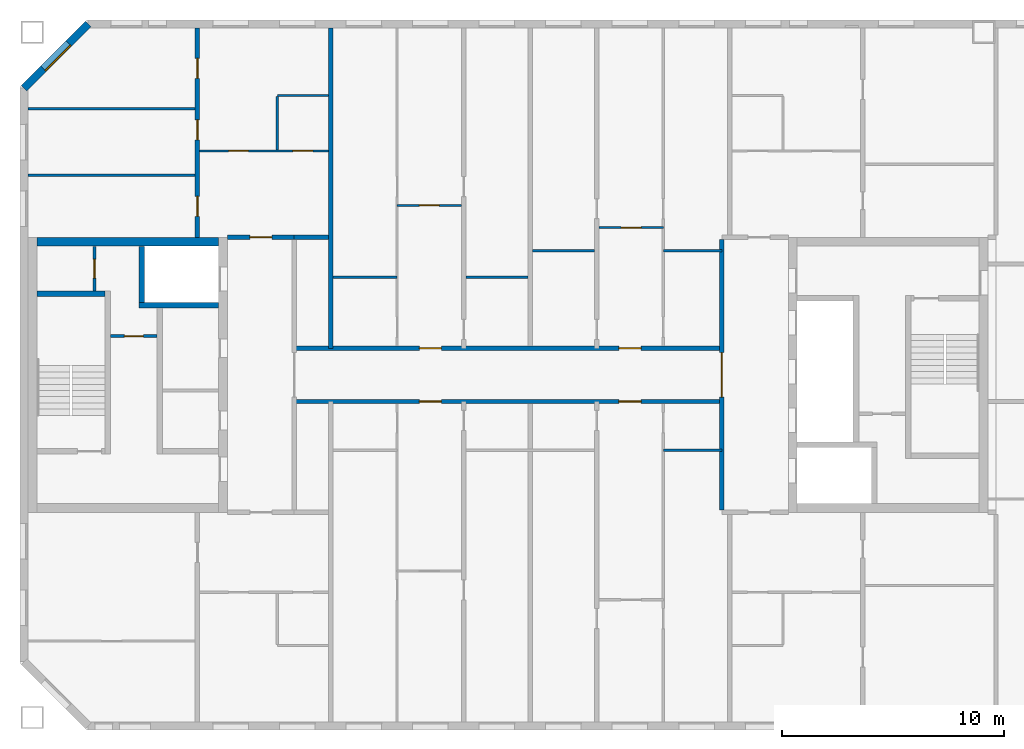
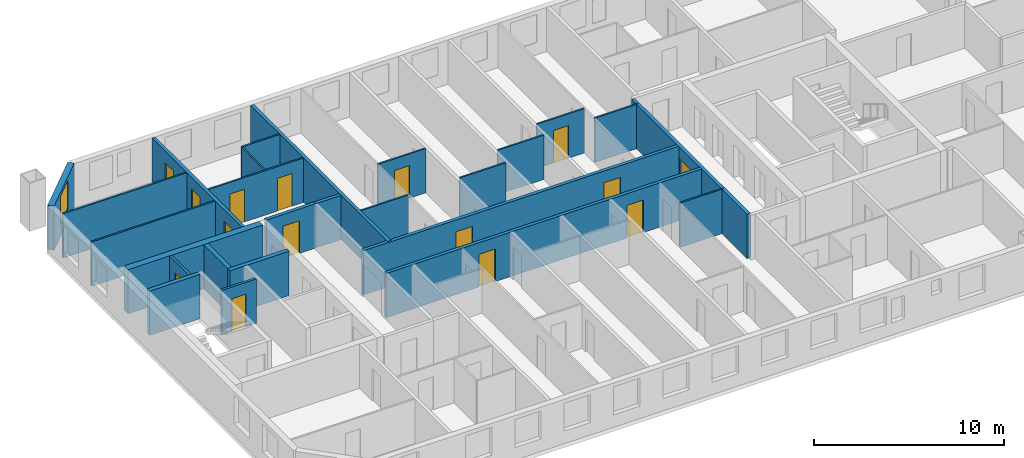
# One storey, part 6 of 19: 26 walls, 15 doors, 1 window, 16 openings.
"""IFC4 building model written with IfcOpenShell, lengths in metres."""

from ifc_helpers import new_model, si_unit, direction, frame, frame_2d, origin, place, context, subcontext, project, spatial, rectangle, extrude, material, layer, layer_set, type_object, element, fill, save


model = new_model("IFC4")

# Units and contexts
model_context = context("Model", 3, precision=1e-05, world=origin(), true_north=direction((0.0, 1.0)))
body_context = subcontext(model_context, "Body", "Model", "MODEL_VIEW")
ifc_project = project(units=[si_unit("LENGTHUNIT", "METRE"), si_unit("AREAUNIT", "SQUARE_METRE"), si_unit("VOLUMEUNIT", "CUBIC_METRE"), si_unit("PLANEANGLEUNIT", "RADIAN"), si_unit("MASSUNIT", "GRAM", prefix="KILO")], contexts=[model_context])

# Site, building, storey
site_placement = place(None, origin())
site = spatial("IfcSite", under=ifc_project, at=site_placement, CompositionType="ELEMENT")
building_placement = place(site_placement, origin())
building = spatial("IfcBuilding", under=site, at=building_placement, Name="Tuart Gate Housing", CompositionType="ELEMENT")
storey_placement = place(building_placement, frame((0.0, 0.0, 212.10009765625)))
storey = spatial("IfcBuildingStorey", under=building, at=storey_placement, Name="L60", CompositionType="ELEMENT", Elevation=212.10009765625)

# Wall, opening, window
ifc_material_1 = material(Name="Brick", Category="masonry")
ifc_layer_1 = layer(ifc_material_1, 0.360107421875)
ifc_layer_set_1 = layer_set([ifc_layer_1], Name="Brick pier and spandrel wall 360")
wall_type_1 = type_object("IfcWallType", Name="Brick pier and spandrel wall 360", PredefinedType="STANDARD", material=ifc_layer_set_1)
wall_1_placement = place(storey_placement, frame((35.07470703125, 85.820068359375, 0.0), z_axis=(0.0, 0.0, 1.0), x_axis=(-0.707106781187, -0.707106781187, 0.0)))
wall_1 = element("IfcWall", 1, at=wall_1_placement, inside=storey, type_object=wall_type_1, Name="External wall BLK-NW L60", PredefinedType="STANDARD", context=body_context, shape_type="SweptSolid", body=[
    extrude(rectangle(XDim=4.09375, YDim=0.360107421875, at=frame_2d((2.046875, 0.0))), origin(), (0.0, 0.0, 1.0), 2.849853515625),
])
opening_1_placement = place(wall_1_placement, frame((1.2470703125, 0.0, 0.800048828125)))
opening_1 = element("IfcOpeningElement", 2, at=opening_1_placement, cuts=wall_1, Name="Opening W1", PredefinedType="OPENING", context=body_context, shape_type="SweptSolid", body=[
    extrude(rectangle(XDim=1.60009765625, YDim=1.800048828125, at=frame_2d((0.800048828125, 0.89990234375))), frame((0.0, 0.18994140625, 0.0), z_axis=(0.0, -1.0, 0.0), x_axis=(1.0, 0.0, 0.0)), (0.0, 0.0, 1.0), 0.380126953125),
])
ifc_material_2 = material(Name="Aluminium frame with clear glass", Category="aluminium")
window_type = type_object("IfcWindowType", Name="Punched window 1600 x 1800", PartitioningType="SINGLE_PANEL", PredefinedType="WINDOW", material=ifc_material_2)
window_placement = place(opening_1_placement, origin())
window = element("IfcWindow", 3, at=window_placement, inside=storey, type_object=window_type, Name="Window W1", OverallHeight=1.800048828125, OverallWidth=1.60009765625, PartitioningType="SINGLE_PANEL", PredefinedType="WINDOW", context=body_context, shape_type="SweptSolid", body=[
    extrude(rectangle(XDim=1.60009765625, YDim=1.800048828125, at=frame_2d((0.800048828125, 0.89990234375))), frame((0.0, 0.150146484375, 0.0), z_axis=(0.0, -1.0, 0.0), x_axis=(1.0, 0.0, 0.0)), (0.0, 0.0, 1.0), 0.06005859375),
])
fill(opening_1, window)

# Wall, opening, door
ifc_material_3 = material(Name="Plasterboard partition")
ifc_layer_2 = layer(ifc_material_3, 0.14990234375)
ifc_layer_set_2 = layer_set([ifc_layer_2], Name="Core partition 150")
wall_type_2 = type_object("IfcWallType", Name="Core partition 150", PredefinedType="PARTITIONING", material=ifc_layer_set_2)
wall_2_placement = place(storey_placement, frame((38.18505859375, 71.75, 0.0), z_axis=(0.0, 0.0, 1.0), x_axis=(-1.0, 0.0, 0.0)))
wall_2 = element("IfcWall", 4, at=wall_2_placement, inside=storey, type_object=wall_type_2, Name="Core partition AK.3", PredefinedType="PARTITIONING", context=body_context, shape_type="SweptSolid", body=[
    extrude(rectangle(XDim=2.10009765625, YDim=0.14990234375, at=frame_2d((1.050048828125, 0.0))), origin(), (0.0, 0.0, 1.0), 2.849853515625),
])
opening_2_placement = place(wall_2_placement, frame((0.625, 0.0, 0.0)))
opening_2 = element("IfcOpeningElement", 5, at=opening_2_placement, cuts=wall_2, Name="Opening D2132", PredefinedType="OPENING", context=body_context, shape_type="SweptSolid", body=[
    extrude(rectangle(XDim=0.85009765625, YDim=2.10009765625, at=frame_2d((0.425048828125, 1.050048828125))), frame((0.0, 0.0849609375, 0.0), z_axis=(0.0, -1.0, 0.0), x_axis=(1.0, 0.0, 0.0)), (0.0, 0.0, 1.0), 0.169921875),
])
ifc_material_4 = material(Name="Steel fire door", Category="steel")
door_type_1 = type_object("IfcDoorType", Name="Riser door 850 x 2100 RH", OperationType="SINGLE_SWING_RIGHT", PredefinedType="DOOR", material=ifc_material_4)
door_1_placement = place(opening_2_placement, frame((0.85009765625, 0.0, 0.0), z_axis=(0.0, 0.0, 1.0), x_axis=(-1.0, 0.0, 0.0)))
door_1 = element("IfcDoor", 6, at=door_1_placement, inside=storey, type_object=door_type_1, Name="Service room door AK.E1", OperationType="SINGLE_SWING_RIGHT", OverallHeight=2.10009765625, OverallWidth=0.85009765625, PredefinedType="DOOR", context=body_context, shape_type="SweptSolid", body=[
    extrude(rectangle(XDim=0.85009765625, YDim=2.10009765625, at=frame_2d((0.425048828125, 1.050048828125))), frame((0.0, 0.025146484375, 0.0), z_axis=(0.0, -1.0, 0.0), x_axis=(1.0, 0.0, 0.0)), (0.0, 0.0, 1.0), 0.050048828125),
])
fill(opening_2, door_1)

wall_3_placement = place(storey_placement, frame((35.360107421875, 75.800048828125, 0.0), z_axis=(0.0, 0.0, 1.0), x_axis=(0.0, -1.0, 0.0)))
wall_3 = element("IfcWall", 7, at=wall_3_placement, inside=storey, type_object=wall_type_2, Name="Core partition AK.10", PredefinedType="PARTITIONING", context=body_context, shape_type="SweptSolid", body=[
    extrude(rectangle(XDim=2.025146484375, YDim=0.14990234375, at=frame_2d((1.0126953125, 0.0))), origin(), (0.0, 0.0, 1.0), 2.849853515625),
])
opening_3_placement = place(wall_3_placement, frame((0.58740234375, 0.0, 0.0)))
opening_3 = element("IfcOpeningElement", 8, at=opening_3_placement, cuts=wall_3, Name="Opening D2130", PredefinedType="OPENING", context=body_context, shape_type="SweptSolid", body=[
    extrude(rectangle(XDim=0.85009765625, YDim=2.10009765625, at=frame_2d((0.425048828125, 1.050048828125))), frame((0.0, 0.0849609375, 0.0), z_axis=(0.0, -1.0, 0.0), x_axis=(1.0, 0.0, 0.0)), (0.0, 0.0, 1.0), 0.169921875),
])
ifc_material_5 = material(Name="Steel fire door", Category="steel")
door_type_2 = type_object("IfcDoorType", Name="Service door 850 x 2100", OperationType="SINGLE_SWING_LEFT", PredefinedType="DOOR", material=ifc_material_5)
door_2_placement = place(opening_3_placement, origin())
door_2 = element("IfcDoor", 9, at=door_2_placement, inside=storey, type_object=door_type_2, Name="Service room door AK.E2", OperationType="SINGLE_SWING_LEFT", OverallHeight=2.10009765625, OverallWidth=0.85009765625, PredefinedType="DOOR", context=body_context, shape_type="SweptSolid", body=[
    extrude(rectangle(XDim=0.85009765625, YDim=2.10009765625, at=frame_2d((0.425048828125, 1.050048828125))), frame((0.0, 0.02490234375, 0.0), z_axis=(0.0, -1.0, 0.0), x_axis=(1.0, 0.0, 0.0)), (0.0, 0.0, 1.0), 0.050048828125),
])
fill(opening_3, door_2)

# Walls
ifc_material_6 = material(Name="Concrete C40", Category="concrete")
ifc_layer_3 = layer(ifc_material_6, 0.25)
ifc_layer_set_3 = layer_set([ifc_layer_3], Name="Core wall 250 C40")
wall_type_3 = type_object("IfcWallType", Name="Core wall 250 C40", PredefinedType="SHEAR", material=ifc_layer_set_3)
wall_4_placement = place(storey_placement, frame((35.8349609375, 73.64990234375, 0.0), z_axis=(0.0, 0.0, 1.0), x_axis=(-1.0, 0.0, 0.0)))
element("IfcWall", 10, at=wall_4_placement, inside=storey, type_object=wall_type_3, Name="Core wall AK.1", PredefinedType="SHEAR", context=body_context, shape_type="SweptSolid", body=[
    extrude(rectangle(XDim=3.074951171875, YDim=0.25, at=frame_2d((1.53759765625, 0.0))), origin(), (0.0, 0.0, 1.0), 2.849853515625),
])
wall_5_placement = place(storey_placement, frame((40.9599609375, 73.14990234375, 0.0), z_axis=(0.0, 0.0, 1.0), x_axis=(-1.0, 0.0, 0.0)))
element("IfcWall", 11, at=wall_5_placement, inside=storey, type_object=wall_type_3, Name="Core wall AK.2", PredefinedType="SHEAR", context=body_context, shape_type="SweptSolid", body=[
    extrude(rectangle(XDim=3.594970703125, YDim=0.25, at=frame_2d((1.79736328125, 0.0))), origin(), (0.0, 0.0, 1.0), 2.849853515625),
])
wall_6_placement = place(storey_placement, frame((37.489990234375, 75.800048828125, 0.0), z_axis=(0.0, 0.0, 1.0), x_axis=(0.0, -1.0, 0.0)))
element("IfcWall", 12, at=wall_6_placement, inside=storey, type_object=wall_type_3, Name="Core wall AK.8", PredefinedType="SHEAR", context=body_context, shape_type="SweptSolid", body=[
    extrude(rectangle(XDim=2.525146484375, YDim=0.25, at=frame_2d((1.2626953125, 0.0))), origin(), (0.0, 0.0, 1.0), 2.849853515625),
])
ifc_material_7 = material(Name="Concrete C40", Category="concrete")
ifc_layer_4 = layer(ifc_material_7, 0.39990234375)
ifc_layer_set_4 = layer_set([ifc_layer_4], Name="Core wall 400 C40")
wall_type_4 = type_object("IfcWallType", Name="Core wall 400 C40", PredefinedType="SHEAR", material=ifc_layer_set_4)
wall_7_placement = place(storey_placement, frame((40.9599609375, 76.0, 0.0), z_axis=(0.0, 0.0, 1.0), x_axis=(-1.0, 0.0, 0.0)))
element("IfcWall", 13, at=wall_7_placement, inside=storey, type_object=wall_type_4, Name="Core wall AK south", PredefinedType="SHEAR", context=body_context, shape_type="SweptSolid", body=[
    extrude(rectangle(XDim=8.199951171875, YDim=0.39990234375, at=frame_2d((4.10009765625, 0.0))), origin(), (0.0, 0.0, 1.0), 2.849853515625),
])

# Wall, openings, doors
ifc_material_8 = material(Name="Concrete masonry 15 MPa", Category="masonry")
ifc_layer_5 = layer(ifc_material_8, 0.199951171875)
ifc_layer_set_5 = layer_set([ifc_layer_5], Name="Corridor wall masonry 200")
wall_type_5 = type_object("IfcWallType", Name="Corridor wall masonry 200", PredefinedType="PARTITIONING", material=ifc_layer_set_5)
wall_8_placement = place(storey_placement, frame((44.360107421875, 68.800048828125, 0.0), z_axis=(0.0, 0.0, 1.0), x_axis=(1.0, 0.0, 0.0)))
wall_8 = element("IfcWall", 14, at=wall_8_placement, inside=storey, type_object=wall_type_5, Name="Corridor wall masonry 200", PredefinedType="PARTITIONING", context=body_context, shape_type="SweptSolid", body=[
    extrude(rectangle(XDim=19.27978515625, YDim=0.199951171875, at=frame_2d((9.639892578125, 0.0))), origin(), (0.0, 0.0, 1.0), 2.849853515625),
])
opening_4_placement = place(wall_8_placement, frame((14.639892578125, 0.0, 0.0)))
opening_4 = element("IfcOpeningElement", 15, at=opening_4_placement, cuts=wall_8, Name="Opening D2142", PredefinedType="OPENING", context=body_context, shape_type="SweptSolid", body=[
    extrude(rectangle(XDim=1.0, YDim=2.10009765625, at=frame_2d((0.5, 1.050048828125))), frame((0.0, 0.10986328125, 0.0), z_axis=(0.0, -1.0, 0.0), x_axis=(1.0, 0.0, 0.0)), (0.0, 0.0, 1.0), 0.219970703125),
])
opening_5_placement = place(wall_8_placement, frame((5.639892578125, 0.0, 0.0)))
opening_5 = element("IfcOpeningElement", 16, at=opening_5_placement, cuts=wall_8, Name="Opening D2143", PredefinedType="OPENING", context=body_context, shape_type="SweptSolid", body=[
    extrude(rectangle(XDim=1.0, YDim=2.10009765625, at=frame_2d((0.5, 1.050048828125))), frame((0.0, 0.10986328125, 0.0), z_axis=(0.0, -1.0, 0.0), x_axis=(1.0, 0.0, 0.0)), (0.0, 0.0, 1.0), 0.219970703125),
])
ifc_material_9 = material(Name="Timber door leaf in steel frame", Category="steel")
door_type_3 = type_object("IfcDoorType", Name="Flat entrance door 1000 RH", OperationType="SINGLE_SWING_RIGHT", PredefinedType="DOOR", material=ifc_material_9)
door_3_placement = place(opening_4_placement, frame((1.0, 0.0, 0.0), z_axis=(0.0, 0.0, 1.0), x_axis=(-1.0, 0.0, 0.0)))
door_3 = element("IfcDoor", 17, at=door_3_placement, inside=storey, type_object=door_type_3, Name="Flat entrance door", OperationType="SINGLE_SWING_RIGHT", OverallHeight=2.10009765625, OverallWidth=1.0, PredefinedType="DOOR", context=body_context, shape_type="SweptSolid", body=[
    extrude(rectangle(XDim=1.0, YDim=2.10009765625, at=frame_2d((0.5, 1.050048828125))), frame((0.0, 0.025146484375, 0.0), z_axis=(0.0, -1.0, 0.0), x_axis=(1.0, 0.0, 0.0)), (0.0, 0.0, 1.0), 0.050048828125),
])
fill(opening_4, door_3)
door_4_placement = place(opening_5_placement, frame((1.0, 0.0, 0.0), z_axis=(0.0, 0.0, 1.0), x_axis=(-1.0, 0.0, 0.0)))
door_4 = element("IfcDoor", 18, at=door_4_placement, inside=storey, type_object=door_type_3, Name="Flat entrance door", OperationType="SINGLE_SWING_RIGHT", OverallHeight=2.10009765625, OverallWidth=1.0, PredefinedType="DOOR", context=body_context, shape_type="SweptSolid", body=[
    extrude(rectangle(XDim=1.0, YDim=2.10009765625, at=frame_2d((0.5, 1.050048828125))), frame((0.0, 0.025146484375, 0.0), z_axis=(0.0, -1.0, 0.0), x_axis=(1.0, 0.0, 0.0)), (0.0, 0.0, 1.0), 0.050048828125),
])
fill(opening_5, door_4)

wall_9_placement = place(storey_placement, frame((44.360107421875, 71.199951171875, 0.0), z_axis=(0.0, 0.0, 1.0), x_axis=(1.0, 0.0, 0.0)))
wall_9 = element("IfcWall", 19, at=wall_9_placement, inside=storey, type_object=wall_type_5, Name="Corridor wall masonry 200", PredefinedType="PARTITIONING", context=body_context, shape_type="SweptSolid", body=[
    extrude(rectangle(XDim=19.27978515625, YDim=0.199951171875, at=frame_2d((9.639892578125, 0.0))), origin(), (0.0, 0.0, 1.0), 2.849853515625),
])
opening_6_placement = place(wall_9_placement, frame((14.639892578125, 0.0, 0.0)))
opening_6 = element("IfcOpeningElement", 20, at=opening_6_placement, cuts=wall_9, Name="Opening D2133", PredefinedType="OPENING", context=body_context, shape_type="SweptSolid", body=[
    extrude(rectangle(XDim=1.0, YDim=2.10009765625, at=frame_2d((0.5, 1.050048828125))), frame((0.0, 0.10986328125, 0.0), z_axis=(0.0, -1.0, 0.0), x_axis=(1.0, 0.0, 0.0)), (0.0, 0.0, 1.0), 0.219970703125),
])
opening_7_placement = place(wall_9_placement, frame((5.639892578125, 0.0, 0.0)))
opening_7 = element("IfcOpeningElement", 21, at=opening_7_placement, cuts=wall_9, Name="Opening D2134", PredefinedType="OPENING", context=body_context, shape_type="SweptSolid", body=[
    extrude(rectangle(XDim=1.0, YDim=2.10009765625, at=frame_2d((0.5, 1.050048828125))), frame((0.0, 0.10986328125, 0.0), z_axis=(0.0, -1.0, 0.0), x_axis=(1.0, 0.0, 0.0)), (0.0, 0.0, 1.0), 0.219970703125),
])
ifc_material_10 = material(Name="Timber door leaf in steel frame", Category="steel")
door_type_4 = type_object("IfcDoorType", Name="Flat entrance door 1000", OperationType="SINGLE_SWING_LEFT", PredefinedType="DOOR", material=ifc_material_10)
door_5_placement = place(opening_6_placement, origin())
door_5 = element("IfcDoor", 22, at=door_5_placement, inside=storey, type_object=door_type_4, Name="Flat entrance door", OperationType="SINGLE_SWING_LEFT", OverallHeight=2.10009765625, OverallWidth=1.0, PredefinedType="DOOR", context=body_context, shape_type="SweptSolid", body=[
    extrude(rectangle(XDim=1.0, YDim=2.10009765625, at=frame_2d((0.5, 1.050048828125))), frame((0.0, 0.02490234375, 0.0), z_axis=(0.0, -1.0, 0.0), x_axis=(1.0, 0.0, 0.0)), (0.0, 0.0, 1.0), 0.050048828125),
])
fill(opening_6, door_5)
door_6_placement = place(opening_7_placement, origin())
door_6 = element("IfcDoor", 23, at=door_6_placement, inside=storey, type_object=door_type_4, Name="Flat entrance door", OperationType="SINGLE_SWING_LEFT", OverallHeight=2.10009765625, OverallWidth=1.0, PredefinedType="DOOR", context=body_context, shape_type="SweptSolid", body=[
    extrude(rectangle(XDim=1.0, YDim=2.10009765625, at=frame_2d((0.5, 1.050048828125))), frame((0.0, 0.02490234375, 0.0), z_axis=(0.0, -1.0, 0.0), x_axis=(1.0, 0.0, 0.0)), (0.0, 0.0, 1.0), 0.050048828125),
])
fill(opening_7, door_6)

# Wall, opening, door
ifc_material_11 = material(Name="Concrete masonry 15 MPa", Category="masonry")
ifc_layer_6 = layer(ifc_material_11, 0.199951171875)
ifc_layer_set_6 = layer_set([ifc_layer_6], Name="Enclosure wall masonry 200")
wall_type_6 = type_object("IfcWallType", Name="Enclosure wall masonry 200", PredefinedType="PARTITIONING", material=ifc_layer_set_6)
wall_10_placement = place(storey_placement, frame((41.360107421875, 76.199951171875, 0.0), z_axis=(0.0, 0.0, 1.0), x_axis=(1.0, 0.0, 0.0)))
wall_10 = element("IfcWall", 24, at=wall_10_placement, inside=storey, type_object=wall_type_6, Name="Enclosure wall masonry 200", PredefinedType="PARTITIONING", context=body_context, shape_type="SweptSolid", body=[
    extrude(rectangle(XDim=3.0, YDim=0.199951171875, at=frame_2d((1.5, 0.0))), origin(), (0.0, 0.0, 1.0), 2.849853515625),
])
opening_8_placement = place(wall_10_placement, frame((1.0, 0.0, 0.0)))
opening_8 = element("IfcOpeningElement", 25, at=opening_8_placement, cuts=wall_10, Name="Opening D2128", PredefinedType="OPENING", context=body_context, shape_type="SweptSolid", body=[
    extrude(rectangle(XDim=1.0, YDim=2.10009765625, at=frame_2d((0.5, 1.050048828125))), frame((0.0, 0.10986328125, 0.0), z_axis=(0.0, -1.0, 0.0), x_axis=(1.0, 0.0, 0.0)), (0.0, 0.0, 1.0), 0.219970703125),
])
door_7_placement = place(opening_8_placement, origin())
door_7 = element("IfcDoor", 26, at=door_7_placement, inside=storey, type_object=door_type_4, Name="Flat entrance door", OperationType="SINGLE_SWING_LEFT", OverallHeight=2.10009765625, OverallWidth=1.0, PredefinedType="DOOR", context=body_context, shape_type="SweptSolid", body=[
    extrude(rectangle(XDim=1.0, YDim=2.10009765625, at=frame_2d((0.5, 1.050048828125))), frame((0.0, 0.02490234375, 0.0), z_axis=(0.0, -1.0, 0.0), x_axis=(1.0, 0.0, 0.0)), (0.0, 0.0, 1.0), 0.050048828125),
])
fill(opening_8, door_7)

ifc_material_12 = material(Name="Plasterboard partition")
ifc_layer_7 = layer(ifc_material_12, 0.199951171875)
ifc_layer_set_7 = layer_set([ifc_layer_7], Name="Lobby wall 200")
wall_type_7 = type_object("IfcWallType", Name="Lobby wall 200", PredefinedType="PARTITIONING", material=ifc_layer_set_7)
wall_11_placement = place(storey_placement, frame((63.639892578125, 63.89990234375, 0.0), z_axis=(0.0, 0.0, 1.0), x_axis=(0.0, 1.0, 0.0)))
wall_11 = element("IfcWall", 27, at=wall_11_placement, inside=storey, type_object=wall_type_7, Name="Lift lobby wall AG", PredefinedType="PARTITIONING", context=body_context, shape_type="SweptSolid", body=[
    extrude(rectangle(XDim=12.2001953125, YDim=0.199951171875, at=frame_2d((6.10009765625, 0.0))), origin(), (0.0, 0.0, 1.0), 2.849853515625),
])
opening_9_placement = place(wall_11_placement, frame((5.10009765625, 0.0, 0.0)))
opening_9 = element("IfcOpeningElement", 28, at=opening_9_placement, cuts=wall_11, Name="Opening D2139", PredefinedType="OPENING", context=body_context, shape_type="SweptSolid", body=[
    extrude(rectangle(XDim=2.0, YDim=2.10009765625, at=frame_2d((1.0, 1.050048828125))), frame((0.0, 0.10986328125, 0.0), z_axis=(0.0, -1.0, 0.0), x_axis=(1.0, 0.0, 0.0)), (0.0, 0.0, 1.0), 0.219970703125),
])
ifc_material_13 = material(Name="Steel fire door", Category="steel")
door_type_5 = type_object("IfcDoorType", Name="Smoke door 2000 x 2100", OperationType="DOUBLE_DOOR_SINGLE_SWING", PredefinedType="DOOR", material=ifc_material_13)
door_8_placement = place(opening_9_placement, frame((2.0, 0.0, 0.0), z_axis=(0.0, 0.0, 1.0), x_axis=(-1.0, 0.0, 0.0)))
door_8 = element("IfcDoor", 29, at=door_8_placement, inside=storey, type_object=door_type_5, Name="Lift lobby smoke door AG", OperationType="DOUBLE_DOOR_SINGLE_SWING", OverallHeight=2.10009765625, OverallWidth=2.0, PredefinedType="DOOR", context=body_context, shape_type="SweptSolid", body=[
    extrude(rectangle(XDim=2.0, YDim=2.10009765625, at=frame_2d((1.0, 1.050048828125))), frame((0.0, 0.025146484375, 0.0), z_axis=(0.0, -1.0, 0.0), x_axis=(1.0, 0.0, 0.0)), (0.0, 0.0, 1.0), 0.050048828125),
])
fill(opening_9, door_8)

# Walls
ifc_material_14 = material(Name="Gypsum board on steel studs", Category="steel")
ifc_layer_8 = layer(ifc_material_14, 0.10009765625)
ifc_layer_set_8 = layer_set([ifc_layer_8], Name="Partition 100")
wall_type_8 = type_object("IfcWallType", Name="Partition 100", PredefinedType="PARTITIONING", material=ifc_layer_set_8)
wall_12_placement = place(storey_placement, frame((61.0, 66.60009765625, 0.0), z_axis=(0.0, 0.0, 1.0), x_axis=(1.0, 0.0, 0.0)))
element("IfcWall", 30, at=wall_12_placement, inside=storey, type_object=wall_type_8, Name="Partition 100", PredefinedType="PARTITIONING", context=body_context, shape_type="SweptSolid", body=[
    extrude(rectangle(XDim=2.639892578125, YDim=0.10009765625, at=frame_2d((1.31982421875, 0.0))), origin(), (0.0, 0.0, 1.0), 2.849853515625),
])
wall_13_placement = place(storey_placement, frame((46.10009765625, 74.39990234375, 0.0), z_axis=(0.0, 0.0, 1.0), x_axis=(1.0, 0.0, 0.0)))
element("IfcWall", 31, at=wall_13_placement, inside=storey, type_object=wall_type_8, Name="Partition 100", PredefinedType="PARTITIONING", context=body_context, shape_type="SweptSolid", body=[
    extrude(rectangle(XDim=2.89990234375, YDim=0.10009765625, at=frame_2d((1.449951171875, 0.0))), origin(), (0.0, 0.0, 1.0), 2.849853515625),
])
for number, where, z_axis, x_axis, name in (
    (32, (52.10009765625, 74.39990234375, 0.0), (0.0, 0.0, 1.0), (1.0, 0.0, 0.0), "Partition 100"),
    (33, (55.10009765625, 75.60009765625, 0.0), (0.0, 0.0, 1.0), (1.0, 0.0, 0.0), "Partition 100"),
):
    element("IfcWall", number, at=place(storey_placement, frame(where, z_axis=z_axis, x_axis=x_axis)), inside=storey, type_object=wall_type_8, Name=name, PredefinedType="PARTITIONING", context=body_context, shape_type="SweptSolid", body=[
        extrude(rectangle(XDim=2.7998046875, YDim=0.10009765625, at=frame_2d((1.39990234375, 0.0))), origin(), (0.0, 0.0, 1.0), 2.849853515625),
    ])
wall_14_placement = place(storey_placement, frame((61.0, 75.60009765625, 0.0), z_axis=(0.0, 0.0, 1.0), x_axis=(1.0, 0.0, 0.0)))
element("IfcWall", 34, at=wall_14_placement, inside=storey, type_object=wall_type_8, Name="Partition 100", PredefinedType="PARTITIONING", context=body_context, shape_type="SweptSolid", body=[
    extrude(rectangle(XDim=2.639892578125, YDim=0.10009765625, at=frame_2d((1.31982421875, 0.0))), origin(), (0.0, 0.0, 1.0), 2.849853515625),
])

# Wall, opening, door
wall_15_placement = place(storey_placement, frame((58.10009765625, 76.639892578125, 0.0), z_axis=(0.0, 0.0, 1.0), x_axis=(1.0, 0.0, 0.0)))
wall_15 = element("IfcWall", 35, at=wall_15_placement, inside=storey, type_object=wall_type_8, Name="Partition 100", PredefinedType="PARTITIONING", context=body_context, shape_type="SweptSolid", body=[
    extrude(rectangle(XDim=2.89990234375, YDim=0.10009765625, at=frame_2d((1.449951171875, 0.0))), origin(), (0.0, 0.0, 1.0), 2.849853515625),
])
opening_10_placement = place(wall_15_placement, frame((1.0, 0.0, 0.0)))
opening_10 = element("IfcOpeningElement", 36, at=opening_10_placement, cuts=wall_15, Name="Opening D2127", PredefinedType="OPENING", context=body_context, shape_type="SweptSolid", body=[
    extrude(rectangle(XDim=0.89990234375, YDim=2.10009765625, at=frame_2d((0.449951171875, 1.050048828125))), frame((0.0, 0.06005859375, 0.0), z_axis=(0.0, -1.0, 0.0), x_axis=(1.0, 0.0, 0.0)), (0.0, 0.0, 1.0), 0.1201171875),
])
ifc_material_15 = material(Name="Timber door leaf in steel frame", Category="steel")
door_type_6 = type_object("IfcDoorType", Name="Internal door 900", OperationType="SINGLE_SWING_LEFT", PredefinedType="DOOR", material=ifc_material_15)
door_9_placement = place(opening_10_placement, frame((0.89990234375, 0.0, 0.0), z_axis=(0.0, 0.0, 1.0), x_axis=(-1.0, 0.0, 0.0)))
door_9 = element("IfcDoor", 37, at=door_9_placement, inside=storey, type_object=door_type_6, Name="Internal door", OperationType="SINGLE_SWING_LEFT", OverallHeight=2.10009765625, OverallWidth=0.89990234375, PredefinedType="DOOR", context=body_context, shape_type="SweptSolid", body=[
    extrude(rectangle(XDim=0.89990234375, YDim=2.10009765625, at=frame_2d((0.449951171875, 1.050048828125))), frame((0.0, 0.025146484375, 0.0), z_axis=(0.0, -1.0, 0.0), x_axis=(1.0, 0.0, 0.0)), (0.0, 0.0, 1.0), 0.050048828125),
])
fill(opening_10, door_9)

wall_16_placement = place(storey_placement, frame((49.0, 77.639892578125, 0.0), z_axis=(0.0, 0.0, 1.0), x_axis=(1.0, 0.0, 0.0)))
wall_16 = element("IfcWall", 38, at=wall_16_placement, inside=storey, type_object=wall_type_8, Name="Partition 100", PredefinedType="PARTITIONING", context=body_context, shape_type="SweptSolid", body=[
    extrude(rectangle(XDim=2.89990234375, YDim=0.10009765625, at=frame_2d((1.449951171875, 0.0))), origin(), (0.0, 0.0, 1.0), 2.849853515625),
])
opening_11_placement = place(wall_16_placement, frame((1.0, 0.0, 0.0)))
opening_11 = element("IfcOpeningElement", 39, at=opening_11_placement, cuts=wall_16, Name="Opening D2126", PredefinedType="OPENING", context=body_context, shape_type="SweptSolid", body=[
    extrude(rectangle(XDim=0.89990234375, YDim=2.10009765625, at=frame_2d((0.449951171875, 1.050048828125))), frame((0.0, 0.06005859375, 0.0), z_axis=(0.0, -1.0, 0.0), x_axis=(1.0, 0.0, 0.0)), (0.0, 0.0, 1.0), 0.1201171875),
])
ifc_material_16 = material(Name="Timber door leaf in steel frame", Category="steel")
door_type_7 = type_object("IfcDoorType", Name="Internal door 900 RH", OperationType="SINGLE_SWING_RIGHT", PredefinedType="DOOR", material=ifc_material_16)
door_10_placement = place(opening_11_placement, frame((0.89990234375, 0.0, 0.0), z_axis=(0.0, 0.0, 1.0), x_axis=(-1.0, 0.0, 0.0)))
door_10 = element("IfcDoor", 40, at=door_10_placement, inside=storey, type_object=door_type_7, Name="Internal door", OperationType="SINGLE_SWING_RIGHT", OverallHeight=2.10009765625, OverallWidth=0.89990234375, PredefinedType="DOOR", context=body_context, shape_type="SweptSolid", body=[
    extrude(rectangle(XDim=0.89990234375, YDim=2.10009765625, at=frame_2d((0.449951171875, 1.050048828125))), frame((0.0, 0.025146484375, 0.0), z_axis=(0.0, -1.0, 0.0), x_axis=(1.0, 0.0, 0.0)), (0.0, 0.0, 1.0), 0.050048828125),
])
fill(opening_11, door_10)

# Wall
wall_17_placement = place(storey_placement, frame((32.360107421875, 79.0, 0.0), z_axis=(0.0, 0.0, 1.0), x_axis=(1.0, 0.0, 0.0)))
element("IfcWall", 41, at=wall_17_placement, inside=storey, type_object=wall_type_8, Name="Partition 100", PredefinedType="PARTITIONING", context=body_context, shape_type="SweptSolid", body=[
    extrude(rectangle(XDim=7.539794921875, YDim=0.10009765625, at=frame_2d((3.77001953125, 0.0))), origin(), (0.0, 0.0, 1.0), 2.849853515625),
])

# Wall, openings, doors
wall_18_placement = place(storey_placement, frame((40.10009765625, 80.10009765625, 0.0), z_axis=(0.0, 0.0, 1.0), x_axis=(1.0, 0.0, 0.0)))
wall_18 = element("IfcWall", 42, at=wall_18_placement, inside=storey, type_object=wall_type_8, Name="Partition 100", PredefinedType="PARTITIONING", context=body_context, shape_type="SweptSolid", body=[
    extrude(rectangle(XDim=5.7998046875, YDim=0.10009765625, at=frame_2d((2.89990234375, 0.0))), origin(), (0.0, 0.0, 1.0), 2.849853515625),
])
opening_12_placement = place(wall_18_placement, frame((1.300048828125, 0.0, 0.0)))
opening_12 = element("IfcOpeningElement", 43, at=opening_12_placement, cuts=wall_18, Name="Opening D2115", PredefinedType="OPENING", context=body_context, shape_type="SweptSolid", body=[
    extrude(rectangle(XDim=0.89990234375, YDim=2.10009765625, at=frame_2d((0.449951171875, 1.050048828125))), frame((0.0, 0.06005859375, 0.0), z_axis=(0.0, -1.0, 0.0), x_axis=(1.0, 0.0, 0.0)), (0.0, 0.0, 1.0), 0.1201171875),
])
opening_13_placement = place(wall_18_placement, frame((4.199951171875, 0.0, 0.0)))
opening_13 = element("IfcOpeningElement", 44, at=opening_13_placement, cuts=wall_18, Name="Opening D2114", PredefinedType="OPENING", context=body_context, shape_type="SweptSolid", body=[
    extrude(rectangle(XDim=0.89990234375, YDim=2.10009765625, at=frame_2d((0.449951171875, 1.050048828125))), frame((0.0, 0.06005859375, 0.0), z_axis=(0.0, -1.0, 0.0), x_axis=(1.0, 0.0, 0.0)), (0.0, 0.0, 1.0), 0.1201171875),
])
ifc_material_17 = material(Name="Timber door leaf in steel frame", Category="steel")
door_type_8 = type_object("IfcDoorType", Name="Bathroom door 900", OperationType="SINGLE_SWING_LEFT", PredefinedType="DOOR", material=ifc_material_17)
door_11_placement = place(opening_13_placement, origin())
door_11 = element("IfcDoor", 45, at=door_11_placement, inside=storey, type_object=door_type_8, Name="Bathroom door", OperationType="SINGLE_SWING_LEFT", OverallHeight=2.10009765625, OverallWidth=0.89990234375, PredefinedType="DOOR", context=body_context, shape_type="SweptSolid", body=[
    extrude(rectangle(XDim=0.89990234375, YDim=2.10009765625, at=frame_2d((0.449951171875, 1.050048828125))), frame((0.0, 0.02490234375, 0.0), z_axis=(0.0, -1.0, 0.0), x_axis=(1.0, 0.0, 0.0)), (0.0, 0.0, 1.0), 0.050048828125),
])
fill(opening_13, door_11)
door_12_placement = place(opening_12_placement, frame((0.89990234375, 0.0, 0.0), z_axis=(0.0, 0.0, 1.0), x_axis=(-1.0, 0.0, 0.0)))
door_12 = element("IfcDoor", 46, at=door_12_placement, inside=storey, type_object=door_type_7, Name="Internal door", OperationType="SINGLE_SWING_RIGHT", OverallHeight=2.10009765625, OverallWidth=0.89990234375, PredefinedType="DOOR", context=body_context, shape_type="SweptSolid", body=[
    extrude(rectangle(XDim=0.89990234375, YDim=2.10009765625, at=frame_2d((0.449951171875, 1.050048828125))), frame((0.0, 0.025146484375, 0.0), z_axis=(0.0, -1.0, 0.0), x_axis=(1.0, 0.0, 0.0)), (0.0, 0.0, 1.0), 0.050048828125),
])
fill(opening_12, door_12)

# Walls
wall_19_placement = place(storey_placement, frame((32.360107421875, 82.0, 0.0), z_axis=(0.0, 0.0, 1.0), x_axis=(1.0, 0.0, 0.0)))
element("IfcWall", 47, at=wall_19_placement, inside=storey, type_object=wall_type_8, Name="Partition 100", PredefinedType="PARTITIONING", context=body_context, shape_type="SweptSolid", body=[
    extrude(rectangle(XDim=7.539794921875, YDim=0.10009765625, at=frame_2d((3.77001953125, 0.0))), origin(), (0.0, 0.0, 1.0), 2.849853515625),
])
wall_20_placement = place(storey_placement, frame((43.60009765625, 82.60009765625, 0.0), z_axis=(0.0, 0.0, 1.0), x_axis=(1.0, 0.0, 0.0)))
element("IfcWall", 48, at=wall_20_placement, inside=storey, type_object=wall_type_8, Name="Partition 100", PredefinedType="PARTITIONING", context=body_context, shape_type="SweptSolid", body=[
    extrude(rectangle(XDim=2.2998046875, YDim=0.10009765625, at=frame_2d((1.14990234375, 0.0))), origin(), (0.0, 0.0, 1.0), 2.849853515625),
])
wall_21_placement = place(storey_placement, frame((43.60009765625, 80.14990234375, 0.0), z_axis=(0.0, 0.0, 1.0), x_axis=(0.0, 1.0, 0.0)))
element("IfcWall", 49, at=wall_21_placement, inside=storey, type_object=wall_type_8, Name="Partition 100", PredefinedType="PARTITIONING", context=body_context, shape_type="SweptSolid", body=[
    extrude(rectangle(XDim=2.400146484375, YDim=0.10009765625, at=frame_2d((1.2001953125, 0.0))), origin(), (0.0, 0.0, 1.0), 2.849853515625),
])

# Wall, openings, doors
ifc_material_18 = material(Name="Concrete C40", Category="concrete")
ifc_layer_9 = layer(ifc_material_18, 0.199951171875)
ifc_layer_set_9 = layer_set([ifc_layer_9], Name="Party wall concrete C40 200")
wall_type_9 = type_object("IfcWallType", Name="Party wall concrete C40 200", PredefinedType="SOLIDWALL", material=ifc_layer_set_9)
wall_22_placement = place(storey_placement, frame((40.0, 76.199951171875, 0.0), z_axis=(0.0, 0.0, 1.0), x_axis=(0.0, 1.0, 0.0)))
wall_22 = element("IfcWall", 50, at=wall_22_placement, inside=storey, type_object=wall_type_9, Name="Party wall concrete C40 200", PredefinedType="SOLIDWALL", context=body_context, shape_type="SweptSolid", body=[
    extrude(rectangle(XDim=9.43994140625, YDim=0.199951171875, at=frame_2d((4.719970703125, 0.0))), origin(), (0.0, 0.0, 1.0), 2.849853515625),
])
opening_14_placement = place(wall_22_placement, frame((7.169921875, 0.0, 0.0)))
opening_14 = element("IfcOpeningElement", 51, at=opening_14_placement, cuts=wall_22, Name="Opening D2109", PredefinedType="OPENING", context=body_context, shape_type="SweptSolid", body=[
    extrude(rectangle(XDim=0.89990234375, YDim=2.10009765625, at=frame_2d((0.449951171875, 1.050048828125))), frame((0.0, 0.10986328125, 0.0), z_axis=(0.0, -1.0, 0.0), x_axis=(1.0, 0.0, 0.0)), (0.0, 0.0, 1.0), 0.219970703125),
])
opening_15_placement = place(wall_22_placement, frame((4.39990234375, 0.0, 0.0)))
opening_15 = element("IfcOpeningElement", 52, at=opening_15_placement, cuts=wall_22, Name="Opening D2110", PredefinedType="OPENING", context=body_context, shape_type="SweptSolid", body=[
    extrude(rectangle(XDim=0.89990234375, YDim=2.10009765625, at=frame_2d((0.449951171875, 1.050048828125))), frame((0.0, 0.10986328125, 0.0), z_axis=(0.0, -1.0, 0.0), x_axis=(1.0, 0.0, 0.0)), (0.0, 0.0, 1.0), 0.219970703125),
])
opening_16_placement = place(wall_22_placement, frame((0.949951171875, 0.0, 0.0)))
opening_16 = element("IfcOpeningElement", 53, at=opening_16_placement, cuts=wall_22, Name="Opening D2111", PredefinedType="OPENING", context=body_context, shape_type="SweptSolid", body=[
    extrude(rectangle(XDim=0.89990234375, YDim=2.10009765625, at=frame_2d((0.449951171875, 1.050048828125))), frame((0.0, 0.10986328125, 0.0), z_axis=(0.0, -1.0, 0.0), x_axis=(1.0, 0.0, 0.0)), (0.0, 0.0, 1.0), 0.219970703125),
])
door_13_placement = place(opening_14_placement, origin())
door_13 = element("IfcDoor", 54, at=door_13_placement, inside=storey, type_object=door_type_6, Name="Internal door", OperationType="SINGLE_SWING_LEFT", OverallHeight=2.10009765625, OverallWidth=0.89990234375, PredefinedType="DOOR", context=body_context, shape_type="SweptSolid", body=[
    extrude(rectangle(XDim=0.89990234375, YDim=2.10009765625, at=frame_2d((0.449951171875, 1.050048828125))), frame((0.0, 0.02490234375, 0.0), z_axis=(0.0, -1.0, 0.0), x_axis=(1.0, 0.0, 0.0)), (0.0, 0.0, 1.0), 0.050048828125),
])
fill(opening_14, door_13)
door_14_placement = place(opening_16_placement, origin())
door_14 = element("IfcDoor", 55, at=door_14_placement, inside=storey, type_object=door_type_6, Name="Internal door", OperationType="SINGLE_SWING_LEFT", OverallHeight=2.10009765625, OverallWidth=0.89990234375, PredefinedType="DOOR", context=body_context, shape_type="SweptSolid", body=[
    extrude(rectangle(XDim=0.89990234375, YDim=2.10009765625, at=frame_2d((0.449951171875, 1.050048828125))), frame((0.0, 0.02490234375, 0.0), z_axis=(0.0, -1.0, 0.0), x_axis=(1.0, 0.0, 0.0)), (0.0, 0.0, 1.0), 0.050048828125),
])
fill(opening_16, door_14)
door_15_placement = place(opening_15_placement, origin())
door_15 = element("IfcDoor", 56, at=door_15_placement, inside=storey, type_object=door_type_7, Name="Internal door", OperationType="SINGLE_SWING_RIGHT", OverallHeight=2.10009765625, OverallWidth=0.89990234375, PredefinedType="DOOR", context=body_context, shape_type="SweptSolid", body=[
    extrude(rectangle(XDim=0.89990234375, YDim=2.10009765625, at=frame_2d((0.449951171875, 1.050048828125))), frame((0.0, 0.02490234375, 0.0), z_axis=(0.0, -1.0, 0.0), x_axis=(1.0, 0.0, 0.0)), (0.0, 0.0, 1.0), 0.050048828125),
])
fill(opening_15, door_15)

# Walls
wall_23_placement = place(storey_placement, frame((46.0, 71.199951171875, 0.0), z_axis=(0.0, 0.0, 1.0), x_axis=(0.0, 1.0, 0.0)))
element("IfcWall", 57, at=wall_23_placement, inside=storey, type_object=wall_type_9, Name="Party wall concrete C40 200", PredefinedType="SOLIDWALL", context=body_context, shape_type="SweptSolid", body=[
    extrude(rectangle(XDim=14.43994140625, YDim=0.199951171875, at=frame_2d((7.219970703125, 0.0))), origin(), (0.0, 0.0, 1.0), 2.849853515625),
])
ifc_material_19 = material(Name="Concrete masonry 15 MPa", Category="masonry")
ifc_layer_10 = layer(ifc_material_19, 0.199951171875)
ifc_layer_set_10 = layer_set([ifc_layer_10], Name="Party wall masonry 200")
wall_type_10 = type_object("IfcWallType", Name="Party wall masonry 200", PredefinedType="PARTITIONING", material=ifc_layer_set_10)
wall_24_placement = place(storey_placement, frame((44.360107421875, 76.199951171875, 0.0), z_axis=(0.0, 0.0, 1.0), x_axis=(1.0, 0.0, 0.0)))
element("IfcWall", 58, at=wall_24_placement, inside=storey, type_object=wall_type_10, Name="Party wall masonry 200", PredefinedType="PARTITIONING", context=body_context, shape_type="SweptSolid", body=[
    extrude(rectangle(XDim=1.539794921875, YDim=0.199951171875, at=frame_2d((0.77001953125, 0.0))), origin(), (0.0, 0.0, 1.0), 2.849853515625),
])

save(model, "model.ifc")
